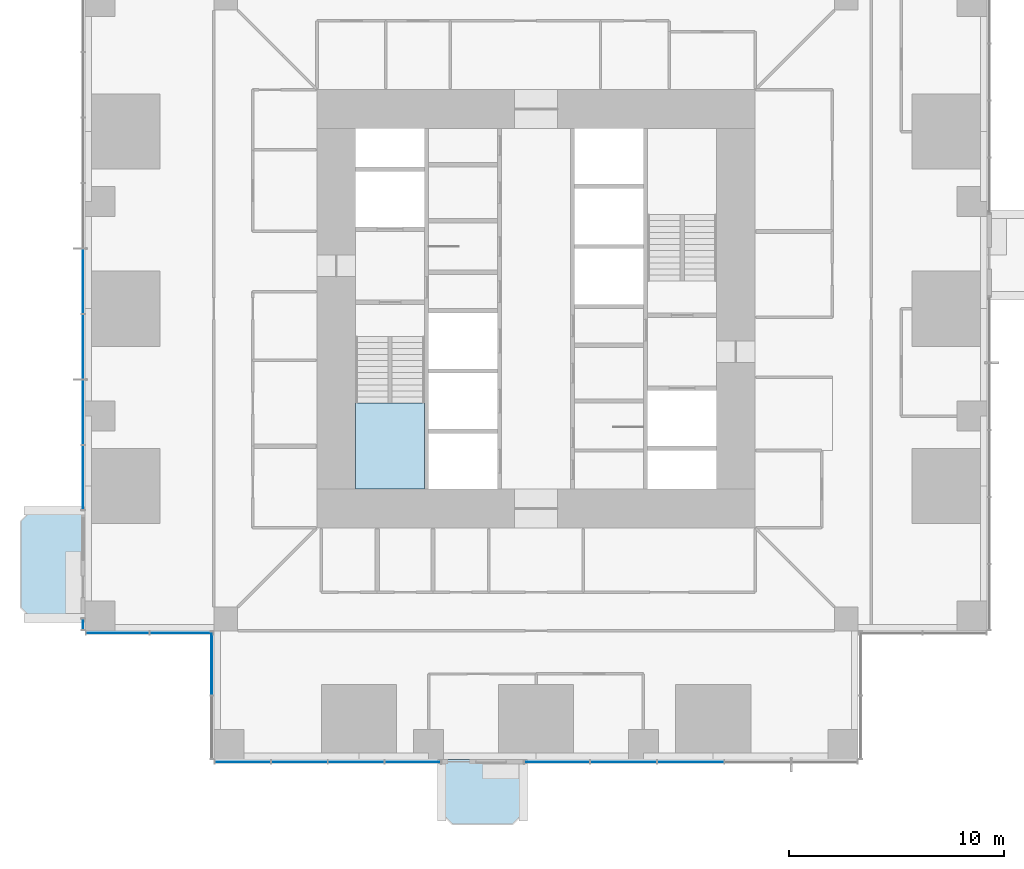
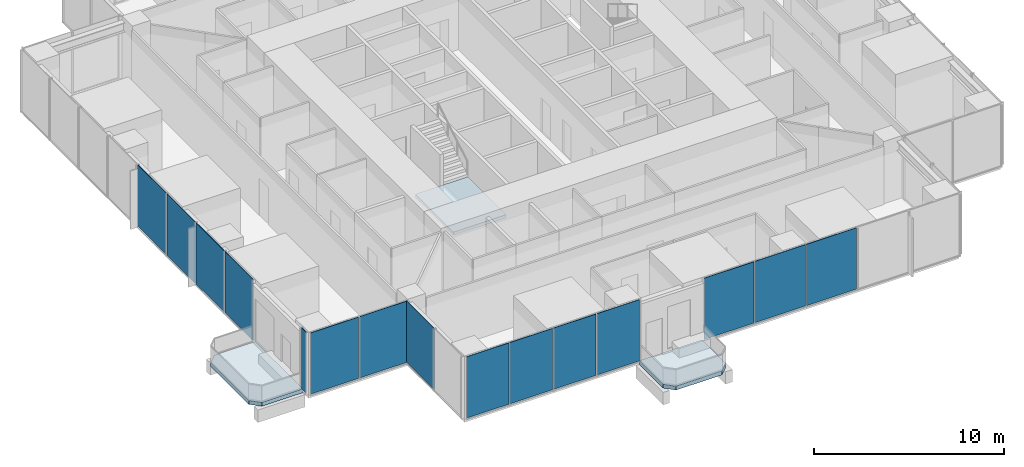
# One storey, part 8 of 17: 15 plates, 3 slabs, 7 elements without a shape of their own.
"""IFC4 building model written with IfcOpenShell, lengths in metres."""

from ifc_helpers import new_model, si_unit, direction, frame, origin, origin_2d, place, context, subcontext, project, spatial, polyline, rectangle, outline, extrude, material, layer, layer_set, type_object, element, aggregate, save


model = new_model("IFC4")

# Units and contexts
model_context = context("Model", 3, precision=1e-05, world=origin(), true_north=direction((0.0, 1.0)))
body_context = subcontext(model_context, "Body", "Model", "MODEL_VIEW")
ifc_project = project(units=[si_unit("LENGTHUNIT", "METRE"), si_unit("AREAUNIT", "SQUARE_METRE"), si_unit("VOLUMEUNIT", "CUBIC_METRE"), si_unit("PLANEANGLEUNIT", "RADIAN"), si_unit("MASSUNIT", "GRAM", prefix="KILO")], contexts=[model_context])

# Site, building, storey
site_placement = place(None, origin())
site = spatial("IfcSite", under=ifc_project, at=site_placement, CompositionType="ELEMENT")
building_placement = place(site_placement, origin())
building = spatial("IfcBuilding", under=site, at=building_placement, Name="Svetlomir Tower", CompositionType="ELEMENT")
storey_placement = place(building_placement, frame((0.0, 0.0, 62.5)))
storey = spatial("IfcBuildingStorey", under=building, at=storey_placement, Name="L14", CompositionType="ELEMENT", Elevation=62.5)

# Slabs
ifc_material_1 = material(Name="Concrete C60/75", Category="concrete")
ifc_layer_1 = layer(ifc_material_1, 0.25)
ifc_layer_set_1 = layer_set([ifc_layer_1], Name="Concrete C60/75")
slab_type_1 = type_object("IfcSlabType", Name="BALCONY SLAB 250", PredefinedType="FLOOR", material=ifc_layer_set_1)
slab_1_placement = place(storey_placement, frame((0.0, 0.0, -0.25)))
element("IfcSlab", 1, at=slab_1_placement, inside=storey, type_object=slab_type_1, Name="L14 S planted balcony", PredefinedType="FLOOR", context=body_context, shape_type="SweptSolid", body=[
    extrude(outline(polyline([(16.60009765625, -2.5), (17.10009765625, -3.0), (19.89990234375, -3.0), (20.39990234375, -2.5), (20.39990234375, 0.0), (16.60009765625, 0.0), (16.60009765625, -2.5)])), origin(), (0.0, 0.0, 1.0), 0.25),
])
slab_2_placement = place(storey_placement, frame((0.0, 0.0, -0.25)))
element("IfcSlab", 2, at=slab_2_placement, inside=storey, type_object=slab_type_1, Name="L14 W planted balcony", PredefinedType="FLOOR", context=body_context, shape_type="SweptSolid", body=[
    extrude(outline(polyline([(-2.5, 6.60009765625), (0.0, 6.60009765625), (0.0, 11.60009765625), (-2.5, 11.60009765625), (-3.0, 11.10009765625), (-3.0, 7.10009765625), (-2.5, 6.60009765625)])), origin(), (0.0, 0.0, 1.0), 0.25),
])

# Curtain wall, plates
ifc_material_2 = material(Name="Bronze anodised aluminium curtain wall", Category="aluminium")
curtain_wall_type = type_object("IfcCurtainWallType", Name="CURTAIN WALL CW1 TOWER OFFICE", PredefinedType="NOTDEFINED", material=ifc_material_2)
curtain_wall_1_placement = place(storey_placement, origin())
curtain_wall_1 = element("IfcCurtainWall", 3, at=curtain_wall_1_placement, inside=storey, type_object=curtain_wall_type, Name="Curtain wall CW1 L14", PredefinedType="NOTDEFINED")
ifc_material_3 = material(Name="Tinted double glazed unit", Category="glass")
ifc_layer_2 = layer(ifc_material_3, 0.031982421875)
ifc_layer_set_2 = layer_set([ifc_layer_2], Name="Tinted double glazed unit")
plate_type = type_object("IfcPlateType", Name="CW1 GLAZED PANEL 32", PredefinedType="CURTAIN_PANEL", material=ifc_layer_set_2)
plate_1_placement = place(storey_placement, frame((7.34130859375, -0.10009765625, 0.06494140625), z_axis=(0.0, 0.0, 1.0), x_axis=(1.0, 0.0, 0.0)))
plate_1 = element("IfcPlate", 4, at=plate_1_placement, type_object=plate_type, Name="CW1 panel 1.1", PredefinedType="CURTAIN_PANEL", context=body_context, shape_type="SweptSolid", body=[
    extrude(rectangle(XDim=2.552490234375, YDim=0.031982421875, at=origin_2d()), origin(), (0.0, 0.0, 1.0), 3.93505859375),
])
plate_2_placement = place(storey_placement, frame((9.97509765625, -0.10009765625, 0.06494140625), z_axis=(0.0, 0.0, 1.0), x_axis=(1.0, 0.0, 0.0)))
plate_2 = element("IfcPlate", 5, at=plate_2_placement, type_object=plate_type, Name="CW1 panel 2.1", PredefinedType="CURTAIN_PANEL", context=body_context, shape_type="SweptSolid", body=[
    extrude(rectangle(XDim=2.5849609375, YDim=0.031982421875, at=origin_2d()), origin(), (0.0, 0.0, 1.0), 3.93505859375),
])
plate_3_placement = place(storey_placement, frame((12.625, -0.10009765625, 0.06494140625), z_axis=(0.0, 0.0, 1.0), x_axis=(1.0, 0.0, 0.0)))
plate_3 = element("IfcPlate", 6, at=plate_3_placement, type_object=plate_type, Name="CW1 panel 3.1", PredefinedType="CURTAIN_PANEL", context=body_context, shape_type="SweptSolid", body=[
    extrude(rectangle(XDim=2.5849609375, YDim=0.031982421875, at=origin_2d()), origin(), (0.0, 0.0, 1.0), 3.93505859375),
])
plate_4_placement = place(storey_placement, frame((15.2587890625, -0.10009765625, 0.06494140625), z_axis=(0.0, 0.0, 1.0), x_axis=(1.0, 0.0, 0.0)))
plate_4 = element("IfcPlate", 7, at=plate_4_placement, type_object=plate_type, Name="CW1 panel 4.1", PredefinedType="CURTAIN_PANEL", context=body_context, shape_type="SweptSolid", body=[
    extrude(rectangle(XDim=2.552490234375, YDim=0.031982421875, at=origin_2d()), origin(), (0.0, 0.0, 1.0), 3.93505859375),
])
aggregate(curtain_wall_1, [plate_1, plate_2, plate_3, plate_4])

curtain_wall_2_placement = place(storey_placement, origin())
curtain_wall_2 = element("IfcCurtainWall", 8, at=curtain_wall_2_placement, inside=storey, type_object=curtain_wall_type, Name="Curtain wall CW1 L14", PredefinedType="NOTDEFINED")
plate_5_placement = place(storey_placement, frame((21.976318359375, -0.10009765625, 0.06494140625), z_axis=(0.0, 0.0, 1.0), x_axis=(1.0, 0.0, 0.0)))
plate_5 = element("IfcPlate", 9, at=plate_5_placement, type_object=plate_type, Name="CW1 panel 1.1", PredefinedType="CURTAIN_PANEL", context=body_context, shape_type="SweptSolid", body=[
    extrude(rectangle(XDim=3.0224609375, YDim=0.031982421875, at=origin_2d()), origin(), (0.0, 0.0, 1.0), 3.93505859375),
])
plate_6_placement = place(storey_placement, frame((25.080078125, -0.10009765625, 0.06494140625), z_axis=(0.0, 0.0, 1.0), x_axis=(1.0, 0.0, 0.0)))
plate_6 = element("IfcPlate", 10, at=plate_6_placement, type_object=plate_type, Name="CW1 panel 2.1", PredefinedType="CURTAIN_PANEL", context=body_context, shape_type="SweptSolid", body=[
    extrude(rectangle(XDim=3.054931640625, YDim=0.031982421875, at=origin_2d()), origin(), (0.0, 0.0, 1.0), 3.93505859375),
])
plate_7_placement = place(storey_placement, frame((28.199951171875, -0.10009765625, 0.06494140625), z_axis=(0.0, 0.0, 1.0), x_axis=(1.0, 0.0, 0.0)))
plate_7 = element("IfcPlate", 11, at=plate_7_placement, type_object=plate_type, Name="CW1 panel 3.1", PredefinedType="CURTAIN_PANEL", context=body_context, shape_type="SweptSolid", body=[
    extrude(rectangle(XDim=3.054931640625, YDim=0.031982421875, at=origin_2d()), origin(), (0.0, 0.0, 1.0), 3.93505859375),
])
aggregate(curtain_wall_2, [plate_5, plate_6, plate_7])

curtain_wall_3_placement = place(storey_placement, origin())
curtain_wall_3 = element("IfcCurtainWall", 12, at=curtain_wall_3_placement, inside=storey, type_object=curtain_wall_type, Name="Curtain wall CW1 L14", PredefinedType="NOTDEFINED")
plate_8_placement = place(storey_placement, frame((-0.10009765625, 22.27490234375, 0.06494140625), z_axis=(0.0, 0.0, 1.0), x_axis=(0.0, -1.0, 0.0)))
plate_8 = element("IfcPlate", 13, at=plate_8_placement, type_object=plate_type, Name="CW1 panel 5.1", PredefinedType="CURTAIN_PANEL", context=body_context, shape_type="SweptSolid", body=[
    extrude(rectangle(XDim=2.985107421875, YDim=0.031982421875, at=origin_2d()), origin(), (0.0, 0.0, 1.0), 3.93505859375),
])
plate_9_placement = place(storey_placement, frame((-0.10009765625, 19.22509765625, 0.06494140625), z_axis=(0.0, 0.0, 1.0), x_axis=(0.0, -1.0, 0.0)))
plate_9 = element("IfcPlate", 14, at=plate_9_placement, type_object=plate_type, Name="CW1 panel 6.1", PredefinedType="CURTAIN_PANEL", context=body_context, shape_type="SweptSolid", body=[
    extrude(rectangle(XDim=2.985107421875, YDim=0.031982421875, at=origin_2d()), origin(), (0.0, 0.0, 1.0), 3.93505859375),
])
plate_10_placement = place(storey_placement, frame((-0.10009765625, 16.175048828125, 0.06494140625), z_axis=(0.0, 0.0, 1.0), x_axis=(0.0, -1.0, 0.0)))
plate_10 = element("IfcPlate", 15, at=plate_10_placement, type_object=plate_type, Name="CW1 panel 7.1", PredefinedType="CURTAIN_PANEL", context=body_context, shape_type="SweptSolid", body=[
    extrude(rectangle(XDim=2.985107421875, YDim=0.031982421875, at=origin_2d()), origin(), (0.0, 0.0, 1.0), 3.93505859375),
])
plate_11_placement = place(storey_placement, frame((-0.10009765625, 13.141357421875, 0.06494140625), z_axis=(0.0, 0.0, 1.0), x_axis=(0.0, -1.0, 0.0)))
plate_11 = element("IfcPlate", 16, at=plate_11_placement, type_object=plate_type, Name="CW1 panel 8.1", PredefinedType="CURTAIN_PANEL", context=body_context, shape_type="SweptSolid", body=[
    extrude(rectangle(XDim=2.952392578125, YDim=0.031982421875, at=origin_2d()), origin(), (0.0, 0.0, 1.0), 3.93505859375),
])
aggregate(curtain_wall_3, [plate_8, plate_9, plate_10, plate_11])

# Curtain wall, plate
curtain_wall_4_placement = place(storey_placement, origin())
curtain_wall_4 = element("IfcCurtainWall", 17, at=curtain_wall_4_placement, inside=storey, type_object=curtain_wall_type, Name="Curtain wall CW1 L14", PredefinedType="NOTDEFINED")
plate_12_placement = place(storey_placement, frame((-0.10009765625, 6.300048828125, 0.06494140625), z_axis=(0.0, 0.0, 1.0), x_axis=(0.0, -1.0, 0.0)))
plate_12 = element("IfcPlate", 18, at=plate_12_placement, type_object=plate_type, Name="CW1 panel 1.1", PredefinedType="CURTAIN_PANEL", context=body_context, shape_type="SweptSolid", body=[
    extrude(rectangle(XDim=0.469970703125, YDim=0.031982421875, at=origin_2d()), origin(), (0.0, 0.0, 1.0), 3.93505859375),
])
aggregate(curtain_wall_4, [plate_12])

# Curtain wall, plates
curtain_wall_5_placement = place(storey_placement, origin())
curtain_wall_5 = element("IfcCurtainWall", 19, at=curtain_wall_5_placement, inside=storey, type_object=curtain_wall_type, Name="Curtain wall CW1 L14", PredefinedType="NOTDEFINED")
plate_13_placement = place(storey_placement, frame((1.516357421875, 5.89990234375, 0.06494140625), z_axis=(0.0, 0.0, 1.0), x_axis=(1.0, 0.0, 0.0)))
plate_13 = element("IfcPlate", 20, at=plate_13_placement, type_object=plate_type, Name="CW1 panel 1.1", PredefinedType="CURTAIN_PANEL", context=body_context, shape_type="SweptSolid", body=[
    extrude(rectangle(XDim=2.902587890625, YDim=0.031982421875, at=origin_2d()), origin(), (0.0, 0.0, 1.0), 3.93505859375),
])
plate_14_placement = place(storey_placement, frame((4.483642578125, 5.89990234375, 0.06494140625), z_axis=(0.0, 0.0, 1.0), x_axis=(1.0, 0.0, 0.0)))
plate_14 = element("IfcPlate", 21, at=plate_14_placement, type_object=plate_type, Name="CW1 panel 2.1", PredefinedType="CURTAIN_PANEL", context=body_context, shape_type="SweptSolid", body=[
    extrude(rectangle(XDim=2.902587890625, YDim=0.031982421875, at=origin_2d()), origin(), (0.0, 0.0, 1.0), 3.93505859375),
])
aggregate(curtain_wall_5, [plate_13, plate_14])

# Curtain wall, plate
curtain_wall_6_placement = place(storey_placement, origin())
curtain_wall_6 = element("IfcCurtainWall", 22, at=curtain_wall_6_placement, inside=storey, type_object=curtain_wall_type, Name="Curtain wall CW1 L14", PredefinedType="NOTDEFINED")
plate_15_placement = place(storey_placement, frame((5.89990234375, 4.483642578125, 0.06494140625), z_axis=(0.0, 0.0, 1.0), x_axis=(0.0, -1.0, 0.0)))
plate_15 = element("IfcPlate", 23, at=plate_15_placement, type_object=plate_type, Name="CW1 panel 1.1", PredefinedType="CURTAIN_PANEL", context=body_context, shape_type="SweptSolid", body=[
    extrude(rectangle(XDim=2.902587890625, YDim=0.031982421875, at=origin_2d()), origin(), (0.0, 0.0, 1.0), 3.93505859375),
])
aggregate(curtain_wall_6, [plate_15])

# Stair, slab
ifc_material_4 = material(Name="Concrete C60/75", Category="concrete")
stair_type = type_object("IfcStairType", Name="EXIT STAIR 3200 RISE 4000", PredefinedType="HALF_TURN_STAIR", material=ifc_material_4)
stair_placement = place(storey_placement, origin())
stair = element("IfcStair", 24, at=stair_placement, inside=storey, type_object=stair_type, Name="Stair S1 L14 to L15", PredefinedType="HALF_TURN_STAIR")
ifc_material_5 = material(Name="Concrete C60/75", Category="concrete")
ifc_layer_3 = layer(ifc_material_5, 0.199951171875)
ifc_layer_set_3 = layer_set([ifc_layer_3], Name="Concrete C60/75")
slab_type_2 = type_object("IfcSlabType", Name="STAIR LANDING 200", PredefinedType="LANDING", material=ifc_layer_set_3)
slab_3_placement = place(storey_placement, frame((0.0, 0.0, 1.800048828125)))
slab_3 = element("IfcSlab", 25, at=slab_3_placement, type_object=slab_type_2, Name="S1 landing 1", PredefinedType="LANDING", context=body_context, shape_type="SweptSolid", body=[
    extrude(outline(polyline([(12.60009765625, 12.60009765625), (15.800048828125, 12.60009765625), (15.800048828125, 16.6201171875), (12.60009765625, 16.6201171875), (12.60009765625, 12.60009765625)])), origin(), (0.0, 0.0, 1.0), 0.199951171875),
])
aggregate(stair, [slab_3])

save(model, "model.ifc")
